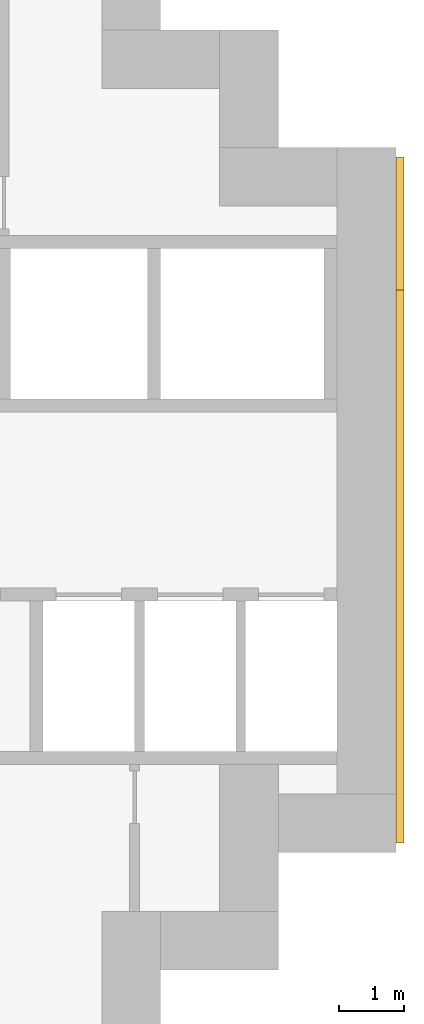
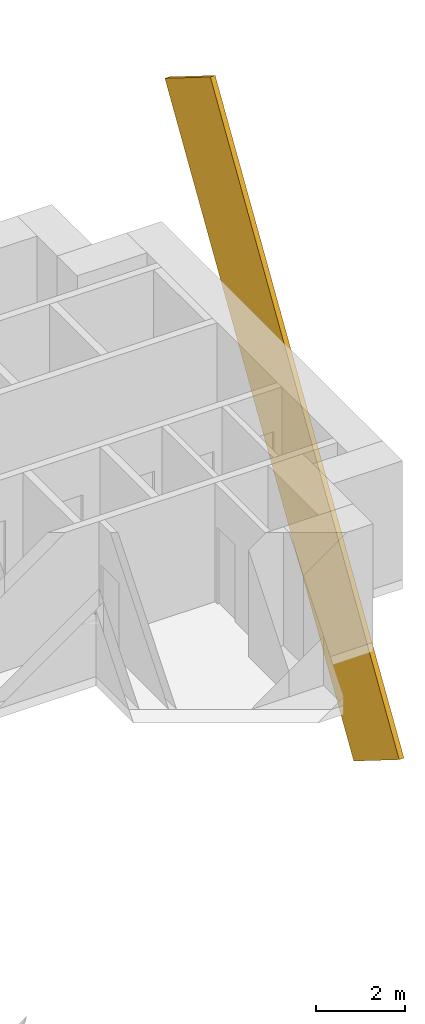
# One storey, part 23 of 23: 1 covering.
"""IFC4 building model written with IfcOpenShell, lengths in metres."""

from ifc_helpers import new_model, si_unit, direction, frame, origin, origin_2d, place, context, subcontext, project, spatial, rectangle, extrude, material, material_profile, profile_set, type_object, element, save


model = new_model("IFC4")

# Units and contexts
model_context = context("Model", 3, precision=1e-05, world=origin(), true_north=direction((0.0, 1.0)))
body_context = subcontext(model_context, "Body", "Model", "MODEL_VIEW")
ifc_project = project(units=[si_unit("LENGTHUNIT", "METRE"), si_unit("AREAUNIT", "SQUARE_METRE"), si_unit("VOLUMEUNIT", "CUBIC_METRE"), si_unit("PLANEANGLEUNIT", "RADIAN"), si_unit("MASSUNIT", "GRAM", prefix="KILO")], contexts=[model_context])

# Site, building, storey
site_placement = place(None, origin())
site = spatial("IfcSite", under=ifc_project, at=site_placement, CompositionType="ELEMENT")
building_placement = place(site_placement, origin())
building = spatial("IfcBuilding", under=site, at=building_placement, Name="Perihelion Cross Residences", CompositionType="ELEMENT")
storey_placement = place(building_placement, frame((0.0, 0.0, 36.5)))
storey = spatial("IfcBuildingStorey", under=building, at=storey_placement, Name="L05", CompositionType="ELEMENT", Elevation=36.5)

# Covering
ifc_material = material(Name="Bronze anodised aluminium", Category="aluminium")
ifc_material_profile = material_profile(ifc_material, rectangle(XDim=0.125, YDim=2.39990234375, at=origin_2d()), Name="Bronze cladding band 2400")
ifc_profile_set = profile_set([ifc_material_profile], Name="Bronze anodised aluminium")
covering_type = type_object("IfcCoveringType", Name="Bronze cladding band 2400", PredefinedType="CLADDING", material=ifc_profile_set)
covering_placement = place(storey_placement, frame((36.0625, -4.232421875, -5.656005859375), z_axis=(0.0, 0.529931619435, 0.848040375644), x_axis=(-1.0, 0.0, 0.0)))
element("IfcCovering", 1, at=covering_placement, inside=storey, type_object=covering_type, Name="Core cladding band, east core", PredefinedType="CLADDING", context=body_context, shape_type="SweptSolid", body=[
    extrude(rectangle(XDim=0.125, YDim=2.39990234375, at=origin_2d()), origin(), (0.0, 0.0, 1.0), 15.973388671875),
])

save(model, "model.ifc")
